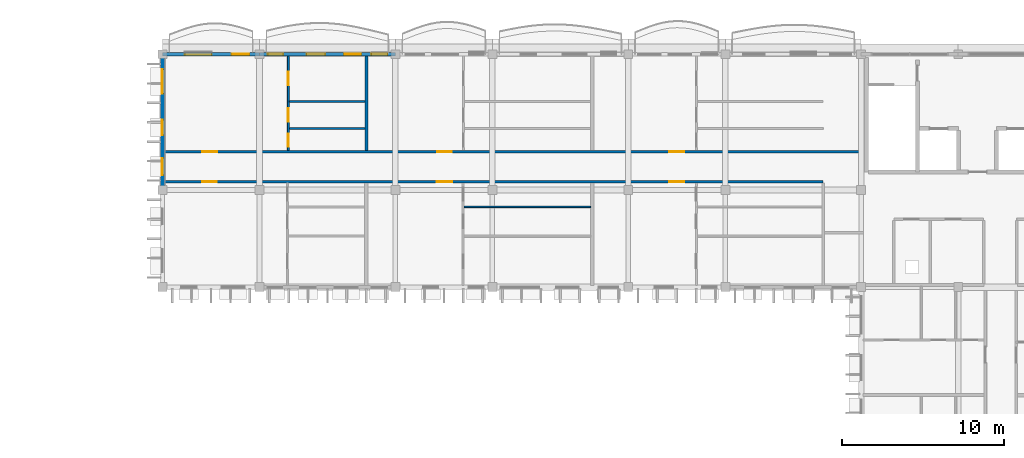
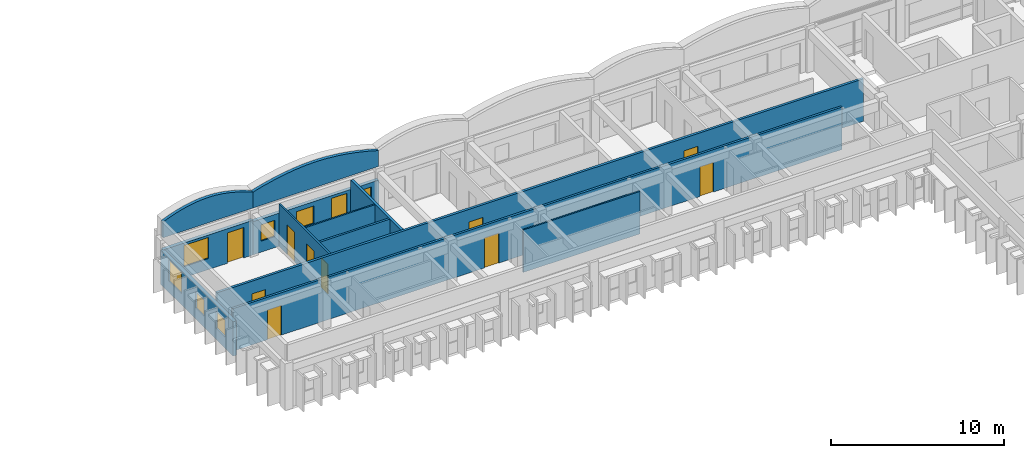
# One storey, part 12 of 28: 12 walls, 11 doors, 7 windows, 18 openings.
"""IFC4 building model written with IfcOpenShell, lengths in metres."""

from ifc_helpers import new_model, si_unit, direction, frame, frame_2d, origin, place, context, subcontext, project, spatial, polyline, rectangle, outline, extrude, material, layer, layer_set, type_object, element, fill, save


model = new_model("IFC4")

# Units and contexts
model_context = context("Model", 3, precision=1e-05, world=origin(), true_north=direction((0.0, 1.0)))
body_context = subcontext(model_context, "Body", "Model", "MODEL_VIEW")
ifc_project = project(units=[si_unit("LENGTHUNIT", "METRE"), si_unit("AREAUNIT", "SQUARE_METRE"), si_unit("VOLUMEUNIT", "CUBIC_METRE"), si_unit("PLANEANGLEUNIT", "RADIAN"), si_unit("MASSUNIT", "GRAM", prefix="KILO"), si_unit("THERMODYNAMICTEMPERATUREUNIT", "KELVIN")], contexts=[model_context])

# Site, building, storey
site_placement = place(None, origin())
site = spatial("IfcSite", under=ifc_project, at=site_placement, CompositionType="ELEMENT")
building_placement = place(site_placement, origin())
building = spatial("IfcBuilding", under=site, at=building_placement, Name="Thalorik Housing Commons", CompositionType="ELEMENT")
storey_placement = place(building_placement, frame((0.0, 0.0, 41.10009765625)))
storey = spatial("IfcBuildingStorey", under=building, at=storey_placement, Name="L12", CompositionType="ELEMENT", Elevation=41.10009765625)

# Wall, openings, doors
ifc_material_1 = material(Name="Masonry fire-rated corridor wall", Category="masonry")
ifc_layer_1 = layer(ifc_material_1, 0.14990234375, Name="Masonry fire-rated corridor wall", Category="masonry")
ifc_layer_set_1 = layer_set([ifc_layer_1], Name="Masonry fire-rated corridor wall")
wall_type_1 = type_object("IfcWallType", Name="ARC-WAL-CORR-150", PredefinedType="PARTITIONING", material=ifc_layer_set_1)
wall_1_placement = place(storey_placement, frame((109.319580078125, 115.719970703125, 0.0), z_axis=(0.0, 0.0, 1.0), x_axis=(1.0, 0.0, 0.0)))
wall_1 = element("IfcWall", 1, at=wall_1_placement, inside=storey, type_object=wall_type_1, Name="L12 Block B N Corridor Wall 1", PredefinedType="PARTITIONING", context=body_context, shape_type="SweptSolid", body=[
    extrude(rectangle(XDim=40.73046875, YDim=0.14990234375, at=frame_2d((20.365234375, 0.0))), origin(), (0.0, 0.0, 1.0), 3.0),
])
opening_1_placement = place(wall_1_placement, frame((2.326904296875, 0.0, 0.0)))
opening_1 = element("IfcOpeningElement", 2, at=opening_1_placement, cuts=wall_1, Name="Opening ID-1544", PredefinedType="OPENING", context=body_context, shape_type="SweptSolid", body=[
    extrude(rectangle(XDim=0.919921875, YDim=2.10009765625, at=frame_2d((0.4599609375, 1.050048828125))), frame((0.0, 0.0849609375, 0.0), z_axis=(0.0, -1.0, 0.0), x_axis=(1.0, 0.0, 0.0)), (0.0, 0.0, 1.0), 0.169921875),
])
opening_2_placement = place(wall_1_placement, frame((16.836669921875, 0.0, 0.0)))
opening_2 = element("IfcOpeningElement", 3, at=opening_2_placement, cuts=wall_1, Name="Opening ID-1545", PredefinedType="OPENING", context=body_context, shape_type="SweptSolid", body=[
    extrude(rectangle(XDim=0.9599609375, YDim=2.1201171875, at=frame_2d((0.47998046875, 1.06005859375))), frame((0.0, 0.0849609375, 0.0), z_axis=(0.0, -1.0, 0.0), x_axis=(1.0, 0.0, 0.0)), (0.0, 0.0, 1.0), 0.169921875),
])
opening_3_placement = place(wall_1_placement, frame((31.213623046875, 0.0, 0.0)))
opening_3 = element("IfcOpeningElement", 4, at=opening_3_placement, cuts=wall_1, Name="Opening ID-1546", PredefinedType="OPENING", context=body_context, shape_type="SweptSolid", body=[
    extrude(rectangle(XDim=0.919921875, YDim=2.10009765625, at=frame_2d((0.4599609375, 1.050048828125))), frame((0.0, 0.0849609375, 0.0), z_axis=(0.0, -1.0, 0.0), x_axis=(1.0, 0.0, 0.0)), (0.0, 0.0, 1.0), 0.169921875),
])
ifc_material_2 = material(Name="Solid core hardwood timber", Category="wood")
door_type_1 = type_object("IfcDoorType", Name="ARC-DR-FD30-920", OperationType="NOTDEFINED", PredefinedType="DOOR", material=ifc_material_2)
door_1_placement = place(opening_1_placement, origin())
door_1 = element("IfcDoor", 5, at=door_1_placement, inside=storey, type_object=door_type_1, Name="L12 Flat BN-1A Entrance Door", OperationType="SINGLE_SWING_LEFT", OverallHeight=2.10009765625, OverallWidth=0.919921875, PredefinedType="DOOR", context=body_context, shape_type="SweptSolid", body=[
    extrude(rectangle(XDim=0.919921875, YDim=2.10009765625, at=frame_2d((0.4599609375, 1.050048828125))), frame((0.0, 0.02490234375, 0.0), z_axis=(0.0, -1.0, 0.0), x_axis=(1.0, 0.0, 0.0)), (0.0, 0.0, 1.0), 0.050048828125),
])
fill(opening_1, door_1)
door_2_placement = place(opening_3_placement, origin())
door_2 = element("IfcDoor", 6, at=door_2_placement, inside=storey, type_object=door_type_1, Name="L12 Flat BN-3A Entrance Door", OperationType="SINGLE_SWING_LEFT", OverallHeight=2.10009765625, OverallWidth=0.919921875, PredefinedType="DOOR", context=body_context, shape_type="SweptSolid", body=[
    extrude(rectangle(XDim=0.919921875, YDim=2.10009765625, at=frame_2d((0.4599609375, 1.050048828125))), frame((0.0, 0.02490234375, 0.0), z_axis=(0.0, -1.0, 0.0), x_axis=(1.0, 0.0, 0.0)), (0.0, 0.0, 1.0), 0.050048828125),
])
fill(opening_3, door_2)
door_type_2 = type_object("IfcDoorType", Name="ARC-DR-FD30-960", OperationType="NOTDEFINED", PredefinedType="DOOR", material=ifc_material_2)
door_3_placement = place(opening_2_placement, origin())
door_3 = element("IfcDoor", 7, at=door_3_placement, inside=storey, type_object=door_type_2, Name="L12 Flat BN-2A Entrance Door", OperationType="SINGLE_SWING_RIGHT", OverallHeight=2.1201171875, OverallWidth=0.9599609375, PredefinedType="DOOR", context=body_context, shape_type="SweptSolid", body=[
    extrude(rectangle(XDim=0.9599609375, YDim=2.1201171875, at=frame_2d((0.47998046875, 1.06005859375))), frame((0.0, 0.02490234375, 0.0), z_axis=(0.0, -1.0, 0.0), x_axis=(1.0, 0.0, 0.0)), (0.0, 0.0, 1.0), 0.050048828125),
])
fill(opening_2, door_3)

ifc_layer_2 = layer(ifc_material_1, 0.1650390625, Name="Masonry fire-rated corridor wall", Category="masonry")
ifc_layer_set_2 = layer_set([ifc_layer_2], Name="Masonry fire-rated corridor wall")
wall_type_2 = type_object("IfcWallType", Name="ARC-WAL-CORR-165", PredefinedType="PARTITIONING", material=ifc_layer_set_2)
wall_2_placement = place(storey_placement, frame((109.319580078125, 117.580078125, 0.0), z_axis=(0.0, 0.0, 1.0), x_axis=(1.0, 0.0, 0.0)))
wall_2 = element("IfcWall", 8, at=wall_2_placement, inside=storey, type_object=wall_type_2, Name="L12 Block B N Corridor Wall 2", PredefinedType="PARTITIONING", context=body_context, shape_type="SweptSolid", body=[
    extrude(rectangle(XDim=43.220458984375, YDim=0.1650390625, at=frame_2d((21.6103515625, 0.0))), origin(), (0.0, 0.0, 1.0), 3.0),
])
opening_4_placement = place(wall_2_placement, frame((2.34375, 0.0, 0.0)))
opening_4 = element("IfcOpeningElement", 9, at=opening_4_placement, cuts=wall_2, Name="Opening ID-1547", PredefinedType="OPENING", context=body_context, shape_type="SweptSolid", body=[
    extrude(rectangle(XDim=0.919921875, YDim=2.10009765625, at=frame_2d((0.4599609375, 1.050048828125))), frame((0.0, 0.092529296875, 0.0), z_axis=(0.0, -1.0, 0.0), x_axis=(1.0, 0.0, 0.0)), (0.0, 0.0, 1.0), 0.18505859375),
])
opening_5_placement = place(wall_2_placement, frame((16.855712890625, 0.0, 0.0)))
opening_5 = element("IfcOpeningElement", 10, at=opening_5_placement, cuts=wall_2, Name="Opening ID-1548", PredefinedType="OPENING", context=body_context, shape_type="SweptSolid", body=[
    extrude(rectangle(XDim=0.919921875, YDim=2.10009765625, at=frame_2d((0.4599609375, 1.050048828125))), frame((0.0, 0.092529296875, 0.0), z_axis=(0.0, -1.0, 0.0), x_axis=(1.0, 0.0, 0.0)), (0.0, 0.0, 1.0), 0.18505859375),
])
opening_6_placement = place(wall_2_placement, frame((31.226806640625, 0.0, 0.0)))
opening_6 = element("IfcOpeningElement", 11, at=opening_6_placement, cuts=wall_2, Name="Opening ID-1549", PredefinedType="OPENING", context=body_context, shape_type="SweptSolid", body=[
    extrude(rectangle(XDim=0.919921875, YDim=2.10009765625, at=frame_2d((0.4599609375, 1.050048828125))), frame((0.0, 0.092529296875, 0.0), z_axis=(0.0, -1.0, 0.0), x_axis=(1.0, 0.0, 0.0)), (0.0, 0.0, 1.0), 0.18505859375),
])
door_4_placement = place(opening_4_placement, origin())
door_4 = element("IfcDoor", 12, at=door_4_placement, inside=storey, type_object=door_type_1, Name="L12 Flat BN-1B Entrance Door", OperationType="SINGLE_SWING_RIGHT", OverallHeight=2.10009765625, OverallWidth=0.919921875, PredefinedType="DOOR", context=body_context, shape_type="SweptSolid", body=[
    extrude(rectangle(XDim=0.919921875, YDim=2.10009765625, at=frame_2d((0.4599609375, 1.050048828125))), frame((0.0, 0.02490234375, 0.0), z_axis=(0.0, -1.0, 0.0), x_axis=(1.0, 0.0, 0.0)), (0.0, 0.0, 1.0), 0.050048828125),
])
fill(opening_4, door_4)
door_5_placement = place(opening_5_placement, origin())
door_5 = element("IfcDoor", 13, at=door_5_placement, inside=storey, type_object=door_type_1, Name="L12 Flat BN-2B Entrance Door", OperationType="SINGLE_SWING_LEFT", OverallHeight=2.10009765625, OverallWidth=0.919921875, PredefinedType="DOOR", context=body_context, shape_type="SweptSolid", body=[
    extrude(rectangle(XDim=0.919921875, YDim=2.10009765625, at=frame_2d((0.4599609375, 1.050048828125))), frame((0.0, 0.02490234375, 0.0), z_axis=(0.0, -1.0, 0.0), x_axis=(1.0, 0.0, 0.0)), (0.0, 0.0, 1.0), 0.050048828125),
])
fill(opening_5, door_5)
door_6_placement = place(opening_6_placement, origin())
door_6 = element("IfcDoor", 14, at=door_6_placement, inside=storey, type_object=door_type_1, Name="L12 Flat BN-3B Entrance Door", OperationType="SINGLE_SWING_RIGHT", OverallHeight=2.10009765625, OverallWidth=0.919921875, PredefinedType="DOOR", context=body_context, shape_type="SweptSolid", body=[
    extrude(rectangle(XDim=0.919921875, YDim=2.10009765625, at=frame_2d((0.4599609375, 1.050048828125))), frame((0.0, 0.02490234375, 0.0), z_axis=(0.0, -1.0, 0.0), x_axis=(1.0, 0.0, 0.0)), (0.0, 0.0, 1.0), 0.050048828125),
])
fill(opening_6, door_6)

# Wall, openings, door, windows
ifc_material_3 = material(Name="White precast concrete C40/50", Category="concrete")
ifc_layer_3 = layer(ifc_material_3, 0.235107421875, Name="White precast concrete C40/50", Category="concrete")
ifc_layer_set_3 = layer_set([ifc_layer_3], Name="White precast concrete C40/50")
wall_type_3 = type_object("IfcWallType", Name="ARC-WAL-EXT-235", PredefinedType="STANDARD", material=ifc_layer_set_3)
wall_3_placement = place(storey_placement, frame((123.60009765625, 123.60009765625, 0.0), z_axis=(0.0, 0.0, 1.0), x_axis=(-1.0, 0.0, 0.0)))
wall_3 = element("IfcWall", 15, at=wall_3_placement, inside=storey, type_object=wall_type_3, Name="L12 Exterior Wall WAL-EXT-L12-B-0803", PredefinedType="STANDARD", context=body_context, shape_type="SweptSolid", body=[
    extrude(rectangle(XDim=8.400146484375, YDim=0.235107421875, at=frame_2d((4.2001953125, 0.0))), origin(), (0.0, 0.0, 1.0), 2.344970703125),
])
opening_7_placement = place(wall_3_placement, frame((2.1201171875, 0.0, 0.0)))
opening_7 = element("IfcOpeningElement", 16, at=opening_7_placement, cuts=wall_3, Name="Opening ED-0276", PredefinedType="OPENING", context=body_context, shape_type="SweptSolid", body=[
    extrude(rectangle(XDim=1.050048828125, YDim=2.14990234375, at=frame_2d((0.52490234375, 1.074951171875))), frame((0.0, 0.12744140625, 0.0), z_axis=(0.0, -1.0, 0.0), x_axis=(1.0, 0.0, 0.0)), (0.0, 0.0, 1.0), 0.255126953125),
])
opening_8_placement = place(wall_3_placement, frame((0.489990234375, 0.0, 0.780029296875)))
opening_8 = element("IfcOpeningElement", 17, at=opening_8_placement, cuts=wall_3, Name="Opening W-02", PredefinedType="OPENING", context=body_context, shape_type="SweptSolid", body=[
    extrude(rectangle(XDim=1.0, YDim=1.25, at=frame_2d((0.5, 0.625))), frame((0.0, 0.12744140625, 0.0), z_axis=(0.0, -1.0, 0.0), x_axis=(1.0, 0.0, 0.0)), (0.0, 0.0, 1.0), 0.255126953125),
])
opening_9_placement = place(wall_3_placement, frame((4.343017578125, 0.0, 0.780029296875)))
opening_9 = element("IfcOpeningElement", 18, at=opening_9_placement, cuts=wall_3, Name="Opening W-45", PredefinedType="OPENING", context=body_context, shape_type="SweptSolid", body=[
    extrude(rectangle(XDim=1.14990234375, YDim=1.25, at=frame_2d((0.574951171875, 0.625))), frame((0.0, 0.12744140625, 0.0), z_axis=(0.0, -1.0, 0.0), x_axis=(1.0, 0.0, 0.0)), (0.0, 0.0, 1.0), 0.255126953125),
])
opening_10_placement = place(wall_3_placement, frame((6.93798828125, 0.0, 0.780029296875)))
opening_10 = element("IfcOpeningElement", 19, at=opening_10_placement, cuts=wall_3, Name="Opening W-43", PredefinedType="OPENING", context=body_context, shape_type="SweptSolid", body=[
    extrude(rectangle(XDim=0.949951171875, YDim=1.14990234375, at=frame_2d((0.47509765625, 0.574951171875))), frame((0.0, 0.12744140625, 0.0), z_axis=(0.0, -1.0, 0.0), x_axis=(1.0, 0.0, 0.0)), (0.0, 0.0, 1.0), 0.255126953125),
])
ifc_material_4 = material(Name="Anodised aluminium and laminated safety glass", Category="aluminium")
door_type_3 = type_object("IfcDoorType", Name="ARC-DR-BAL-1050", OperationType="NOTDEFINED", PredefinedType="DOOR", material=ifc_material_4)
door_7_placement = place(opening_7_placement, frame((1.050048828125, 0.0, 0.0), z_axis=(0.0, 0.0, 1.0), x_axis=(-1.0, 0.0, 0.0)))
door_7 = element("IfcDoor", 20, at=door_7_placement, inside=storey, type_object=door_type_3, Name="L12 Block B Balcony Glazed Door", OperationType="SINGLE_SWING_LEFT", OverallHeight=2.14990234375, OverallWidth=1.050048828125, PredefinedType="DOOR", context=body_context, shape_type="SweptSolid", body=[
    extrude(rectangle(XDim=1.050048828125, YDim=2.14990234375, at=frame_2d((0.52490234375, 1.074951171875))), frame((0.0, 0.02490234375, 0.0), z_axis=(0.0, -1.0, 0.0), x_axis=(1.0, 0.0, 0.0)), (0.0, 0.0, 1.0), 0.050048828125),
])
fill(opening_7, door_7)
ifc_material_5 = material(Name="Anodised aluminium and solar-control low-E glass", Category="aluminium")
window_type_1 = type_object("IfcWindowType", Name="ARC-WIN-02", PartitioningType="SINGLE_PANEL", PredefinedType="WINDOW", material=ifc_material_5)
window_1_placement = place(opening_8_placement, origin())
window_1 = element("IfcWindow", 21, at=window_1_placement, inside=storey, type_object=window_type_1, Name="L12 Facade Window 1476", OverallHeight=1.25, OverallWidth=1.0, PartitioningType="SINGLE_PANEL", PredefinedType="WINDOW", context=body_context, shape_type="SweptSolid", body=[
    extrude(rectangle(XDim=1.0, YDim=1.25, at=frame_2d((0.5, 0.625))), frame((0.0, 0.030029296875, 0.0), z_axis=(0.0, -1.0, 0.0), x_axis=(1.0, 0.0, 0.0)), (0.0, 0.0, 1.0), 0.06005859375),
])
fill(opening_8, window_1)
window_type_2 = type_object("IfcWindowType", Name="ARC-WIN-43", PartitioningType="SINGLE_PANEL", PredefinedType="WINDOW", material=ifc_material_5)
window_2_placement = place(opening_10_placement, origin())
window_2 = element("IfcWindow", 22, at=window_2_placement, inside=storey, type_object=window_type_2, Name="L12 Facade Window 1478", OverallHeight=1.14990234375, OverallWidth=0.949951171875, PartitioningType="SINGLE_PANEL", PredefinedType="WINDOW", context=body_context, shape_type="SweptSolid", body=[
    extrude(rectangle(XDim=0.949951171875, YDim=1.14990234375, at=frame_2d((0.47509765625, 0.574951171875))), frame((0.0, 0.030029296875, 0.0), z_axis=(0.0, -1.0, 0.0), x_axis=(1.0, 0.0, 0.0)), (0.0, 0.0, 1.0), 0.06005859375),
])
fill(opening_10, window_2)
window_type_3 = type_object("IfcWindowType", Name="ARC-WIN-45", PartitioningType="SINGLE_PANEL", PredefinedType="WINDOW", material=ifc_material_5)
window_3_placement = place(opening_9_placement, origin())
window_3 = element("IfcWindow", 23, at=window_3_placement, inside=storey, type_object=window_type_3, Name="L12 Facade Window 1477", OverallHeight=1.25, OverallWidth=1.14990234375, PartitioningType="SINGLE_PANEL", PredefinedType="WINDOW", context=body_context, shape_type="SweptSolid", body=[
    extrude(rectangle(XDim=1.14990234375, YDim=1.25, at=frame_2d((0.574951171875, 0.625))), frame((0.0, 0.030029296875, 0.0), z_axis=(0.0, -1.0, 0.0), x_axis=(1.0, 0.0, 0.0)), (0.0, 0.0, 1.0), 0.06005859375),
])
fill(opening_9, window_3)

# Wall, openings, door, window
wall_4_placement = place(storey_placement, frame((115.199951171875, 123.60009765625, 0.0), z_axis=(0.0, 0.0, 1.0), x_axis=(-1.0, 0.0, 0.0)))
wall_4 = element("IfcWall", 24, at=wall_4_placement, inside=storey, type_object=wall_type_3, Name="L12 Exterior Wall WAL-EXT-L12-B-0804", PredefinedType="STANDARD", context=body_context, shape_type="SweptSolid", body=[
    extrude(rectangle(XDim=6.0, YDim=0.235107421875, at=frame_2d((3.0, 0.0))), origin(), (0.0, 0.0, 1.0), 2.44482421875),
])
opening_11_placement = place(wall_4_placement, frame((0.6201171875, 0.0, 0.0)))
opening_11 = element("IfcOpeningElement", 25, at=opening_11_placement, cuts=wall_4, Name="Opening ED-0277", PredefinedType="OPENING", context=body_context, shape_type="SweptSolid", body=[
    extrude(rectangle(XDim=1.10009765625, YDim=2.14990234375, at=frame_2d((0.550048828125, 1.074951171875))), frame((0.0, 0.12744140625, 0.0), z_axis=(0.0, -1.0, 0.0), x_axis=(1.0, 0.0, 0.0)), (0.0, 0.0, 1.0), 0.255126953125),
])
opening_12_placement = place(wall_4_placement, frame((2.965087890625, 0.0, 0.780029296875)))
opening_12 = element("IfcOpeningElement", 26, at=opening_12_placement, cuts=wall_4, Name="Opening W-15", PredefinedType="OPENING", context=body_context, shape_type="SweptSolid", body=[
    extrude(rectangle(XDim=1.64990234375, YDim=1.5, at=frame_2d((0.824951171875, 0.75))), frame((0.0, 0.12744140625, 0.0), z_axis=(0.0, -1.0, 0.0), x_axis=(1.0, 0.0, 0.0)), (0.0, 0.0, 1.0), 0.255126953125),
])
door_type_4 = type_object("IfcDoorType", Name="ARC-DR-BAL-1100", OperationType="NOTDEFINED", PredefinedType="DOOR", material=ifc_material_4)
door_8_placement = place(opening_11_placement, frame((1.10009765625, 0.0, 0.0), z_axis=(0.0, 0.0, 1.0), x_axis=(-1.0, 0.0, 0.0)))
door_8 = element("IfcDoor", 27, at=door_8_placement, inside=storey, type_object=door_type_4, Name="L12 Block B Balcony Glazed Door", OperationType="SINGLE_SWING_RIGHT", OverallHeight=2.14990234375, OverallWidth=1.10009765625, PredefinedType="DOOR", context=body_context, shape_type="SweptSolid", body=[
    extrude(rectangle(XDim=1.10009765625, YDim=2.14990234375, at=frame_2d((0.550048828125, 1.074951171875))), frame((0.0, 0.02490234375, 0.0), z_axis=(0.0, -1.0, 0.0), x_axis=(1.0, 0.0, 0.0)), (0.0, 0.0, 1.0), 0.050048828125),
])
fill(opening_11, door_8)
window_type_4 = type_object("IfcWindowType", Name="ARC-WIN-15", PartitioningType="DOUBLE_PANEL_VERTICAL", PredefinedType="WINDOW", material=ifc_material_5)
window_4_placement = place(opening_12_placement, origin())
window_4 = element("IfcWindow", 28, at=window_4_placement, inside=storey, type_object=window_type_4, Name="L12 Facade Window 1479", OverallHeight=1.5, OverallWidth=1.64990234375, PartitioningType="DOUBLE_PANEL_VERTICAL", PredefinedType="WINDOW", context=body_context, shape_type="SweptSolid", body=[
    extrude(rectangle(XDim=1.64990234375, YDim=1.5, at=frame_2d((0.824951171875, 0.75))), frame((0.0, 0.030029296875, 0.0), z_axis=(0.0, -1.0, 0.0), x_axis=(1.0, 0.0, 0.0)), (0.0, 0.0, 1.0), 0.06005859375),
])
fill(opening_12, window_4)

# Wall, openings, windows
wall_5_placement = place(storey_placement, frame((109.199951171875, 123.60009765625, 0.0), z_axis=(0.0, 0.0, 1.0), x_axis=(0.0, -1.0, 0.0)))
wall_5 = element("IfcWall", 29, at=wall_5_placement, inside=storey, type_object=wall_type_3, Name="L12 Exterior Wall WAL-EXT-L12-B-0805", PredefinedType="STANDARD", context=body_context, shape_type="SweptSolid", body=[
    extrude(rectangle(XDim=8.400146484375, YDim=0.235107421875, at=frame_2d((4.2001953125, 0.0))), origin(), (0.0, 0.0, 1.0), 2.4248046875),
])
opening_13_placement = place(wall_5_placement, frame((0.9326171875, 0.0, 0.780029296875)))
opening_13 = element("IfcOpeningElement", 30, at=opening_13_placement, cuts=wall_5, Name="Opening W-10", PredefinedType="OPENING", context=body_context, shape_type="SweptSolid", body=[
    extrude(rectangle(XDim=1.5, YDim=1.5, at=frame_2d((0.75, 0.75))), frame((0.0, 0.12744140625, 0.0), z_axis=(0.0, -1.0, 0.0), x_axis=(1.0, 0.0, 0.0)), (0.0, 0.0, 1.0), 0.255126953125),
])
opening_14_placement = place(wall_5_placement, frame((4.052490234375, 0.0, 0.780029296875)))
opening_14 = element("IfcOpeningElement", 31, at=opening_14_placement, cuts=wall_5, Name="Opening W-43", PredefinedType="OPENING", context=body_context, shape_type="SweptSolid", body=[
    extrude(rectangle(XDim=0.949951171875, YDim=1.14990234375, at=frame_2d((0.47509765625, 0.574951171875))), frame((0.0, 0.12744140625, 0.0), z_axis=(0.0, -1.0, 0.0), x_axis=(1.0, 0.0, 0.0)), (0.0, 0.0, 1.0), 0.255126953125),
])
opening_15_placement = place(wall_5_placement, frame((6.425048828125, 0.0, 0.780029296875)))
opening_15 = element("IfcOpeningElement", 32, at=opening_15_placement, cuts=wall_5, Name="Opening W-44", PredefinedType="OPENING", context=body_context, shape_type="SweptSolid", body=[
    extrude(rectangle(XDim=1.050048828125, YDim=1.199951171875, at=frame_2d((0.52490234375, 0.60009765625))), frame((0.0, 0.12744140625, 0.0), z_axis=(0.0, -1.0, 0.0), x_axis=(1.0, 0.0, 0.0)), (0.0, 0.0, 1.0), 0.255126953125),
])
window_type_5 = type_object("IfcWindowType", Name="ARC-WIN-10", PartitioningType="SINGLE_PANEL", PredefinedType="WINDOW", material=ifc_material_5)
window_5_placement = place(opening_13_placement, origin())
window_5 = element("IfcWindow", 33, at=window_5_placement, inside=storey, type_object=window_type_5, Name="L12 Facade Window 1480", OverallHeight=1.5, OverallWidth=1.5, PartitioningType="SINGLE_PANEL", PredefinedType="WINDOW", context=body_context, shape_type="SweptSolid", body=[
    extrude(rectangle(XDim=1.5, YDim=1.5, at=frame_2d((0.75, 0.75))), frame((0.0, 0.030029296875, 0.0), z_axis=(0.0, -1.0, 0.0), x_axis=(1.0, 0.0, 0.0)), (0.0, 0.0, 1.0), 0.06005859375),
])
fill(opening_13, window_5)
window_6_placement = place(opening_14_placement, origin())
window_6 = element("IfcWindow", 34, at=window_6_placement, inside=storey, type_object=window_type_2, Name="L12 Facade Window 1481", OverallHeight=1.14990234375, OverallWidth=0.949951171875, PartitioningType="SINGLE_PANEL", PredefinedType="WINDOW", context=body_context, shape_type="SweptSolid", body=[
    extrude(rectangle(XDim=0.949951171875, YDim=1.14990234375, at=frame_2d((0.47509765625, 0.574951171875))), frame((0.0, 0.030029296875, 0.0), z_axis=(0.0, -1.0, 0.0), x_axis=(1.0, 0.0, 0.0)), (0.0, 0.0, 1.0), 0.06005859375),
])
fill(opening_14, window_6)
window_type_6 = type_object("IfcWindowType", Name="ARC-WIN-44", PartitioningType="SINGLE_PANEL", PredefinedType="WINDOW", material=ifc_material_5)
window_7_placement = place(opening_15_placement, origin())
window_7 = element("IfcWindow", 35, at=window_7_placement, inside=storey, type_object=window_type_6, Name="L12 Facade Window 1482", OverallHeight=1.199951171875, OverallWidth=1.050048828125, PartitioningType="SINGLE_PANEL", PredefinedType="WINDOW", context=body_context, shape_type="SweptSolid", body=[
    extrude(rectangle(XDim=1.050048828125, YDim=1.199951171875, at=frame_2d((0.52490234375, 0.60009765625))), frame((0.0, 0.030029296875, 0.0), z_axis=(0.0, -1.0, 0.0), x_axis=(1.0, 0.0, 0.0)), (0.0, 0.0, 1.0), 0.06005859375),
])
fill(opening_15, window_7)

# Walls
ifc_layer_4 = layer(ifc_material_3, 0.2099609375, Name="White precast concrete C40/50", Category="concrete")
ifc_layer_set_4 = layer_set([ifc_layer_4], Name="White precast concrete C40/50")
wall_type_4 = type_object("IfcWallType", Name="ARC-WAL-PAR-210", PredefinedType="PARAPET", material=ifc_layer_set_4)
wall_6_placement = place(storey_placement, frame((123.60009765625, 123.60009765625, 3.2998046875), z_axis=(0.0, 0.0, 1.0), x_axis=(-1.0, 0.0, 0.0)))
element("IfcWall", 36, at=wall_6_placement, inside=storey, type_object=wall_type_4, Name="L12 Block B Scalloped Arched Roof Parapet 22", PredefinedType="PARAPET", context=body_context, shape_type="SweptSolid", body=[
    extrude(outline(polyline([(0.0, 0.0), (8.400146484375, 0.0), (8.39990234375, 1.1201171875), (7.699951171875, 1.321533203125), (7.0, 1.484619140625), (6.300048828125, 1.617919921875), (5.60009765625, 1.717529296875), (4.89990234375, 1.779296875), (4.199951171875, 1.800048828125), (3.5, 1.779296875), (2.800048828125, 1.717529296875), (2.10009765625, 1.617919921875), (1.39990234375, 1.484619140625), (0.699951171875, 1.321533203125), (0.0, 1.1201171875), (0.0, 0.0)])), frame((0.0, 0.10498046875, 0.0), z_axis=(0.0, -1.0, 0.0), x_axis=(1.0, 0.0, 0.0)), (0.0, 0.0, 1.0), 0.2099609375),
])
wall_7_placement = place(storey_placement, frame((115.199951171875, 123.60009765625, 3.2998046875), z_axis=(0.0, 0.0, 1.0), x_axis=(-1.0, 0.0, 0.0)))
element("IfcWall", 37, at=wall_7_placement, inside=storey, type_object=wall_type_4, Name="L12 Block B Scalloped Arched Roof Parapet 23", PredefinedType="PARAPET", context=body_context, shape_type="SweptSolid", body=[
    extrude(outline(polyline([(0.0, 0.0), (6.0, 0.0), (6.0, 1.1201171875), (5.5, 1.321533203125), (5.0, 1.484619140625), (4.5, 1.617919921875), (4.0, 1.717529296875), (3.5, 1.779296875), (3.0, 1.800048828125), (2.5, 1.779296875), (2.0, 1.717529296875), (1.5, 1.617919921875), (1.0, 1.484619140625), (0.5, 1.321533203125), (0.0, 1.1201171875), (0.0, 0.0)])), frame((0.0, 0.10498046875, 0.0), z_axis=(0.0, -1.0, 0.0), x_axis=(1.0, 0.0, 0.0)), (0.0, 0.0, 1.0), 0.2099609375),
])
ifc_material_6 = material(Name="Gypsum light stud partition", Category="masonry")
ifc_layer_5 = layer(ifc_material_6, 0.10009765625, Name="Gypsum light stud partition", Category="masonry")
ifc_layer_set_5 = layer_set([ifc_layer_5], Name="Gypsum light stud partition")
wall_type_5 = type_object("IfcWallType", Name="ARC-WAL-PART-100", PredefinedType="PARTITIONING", material=ifc_layer_set_5)
wall_8_placement = place(storey_placement, frame((117.04345703125, 120.67919921875, 0.0), z_axis=(0.0, 0.0, 1.0), x_axis=(1.0, 0.0, 0.0)))
element("IfcWall", 38, at=wall_8_placement, inside=storey, type_object=wall_type_5, Name="L12 Unit 1B Bedroom Partition", PredefinedType="PARTITIONING", context=body_context, shape_type="SweptSolid", body=[
    extrude(rectangle(XDim=4.672119140625, YDim=0.10009765625, at=frame_2d((2.3359375, 0.0))), origin(), (0.0, 0.0, 1.0), 3.0),
])
wall_9_placement = place(storey_placement, frame((127.8544921875, 114.169677734375, 0.0), z_axis=(0.0, 0.0, 1.0), x_axis=(1.0, 0.0, 0.0)))
element("IfcWall", 39, at=wall_9_placement, inside=storey, type_object=wall_type_5, Name="L12 Unit 2 Wet Wall", PredefinedType="PARTITIONING", context=body_context, shape_type="SweptSolid", body=[
    extrude(rectangle(XDim=7.8134765625, YDim=0.10009765625, at=frame_2d((3.90673828125, 0.0))), origin(), (0.0, 0.0, 1.0), 3.0),
])

# Wall, openings, doors
ifc_material_7 = material(Name="Gypsum moisture-resistant partition", Category="masonry")
ifc_layer_6 = layer(ifc_material_7, 0.114990234375, Name="Gypsum moisture-resistant partition", Category="masonry")
ifc_layer_set_6 = layer_set([ifc_layer_6], Name="Gypsum moisture-resistant partition")
wall_type_6 = type_object("IfcWallType", Name="ARC-WAL-PART-115", PredefinedType="PARTITIONING", material=ifc_layer_set_6)
wall_10_placement = place(storey_placement, frame((116.98388671875, 117.66455078125, 0.0), z_axis=(0.0, 0.0, 1.0), x_axis=(0.0, 1.0, 0.0)))
wall_10 = element("IfcWall", 40, at=wall_10_placement, inside=storey, type_object=wall_type_6, Name="L12 Unit 1B Spine Partition", PredefinedType="PARTITIONING", context=body_context, shape_type="SweptSolid", body=[
    extrude(rectangle(XDim=5.81591796875, YDim=0.114990234375, at=frame_2d((2.907958984375, 0.0))), origin(), (0.0, 0.0, 1.0), 3.0),
])
opening_16_placement = place(wall_10_placement, frame((0.230712890625, 0.0, 0.0)))
opening_16 = element("IfcOpeningElement", 41, at=opening_16_placement, cuts=wall_10, Name="Opening ID-1529", PredefinedType="OPENING", context=body_context, shape_type="SweptSolid", body=[
    extrude(rectangle(XDim=0.800048828125, YDim=2.10009765625, at=frame_2d((0.39990234375, 1.050048828125))), frame((0.0, 0.0673828125, 0.0), z_axis=(0.0, -1.0, 0.0), x_axis=(1.0, 0.0, 0.0)), (0.0, 0.0, 1.0), 0.135009765625),
])
opening_17_placement = place(wall_10_placement, frame((1.75537109375, 0.0, 0.0)))
opening_17 = element("IfcOpeningElement", 42, at=opening_17_placement, cuts=wall_10, Name="Opening ID-1530", PredefinedType="OPENING", context=body_context, shape_type="SweptSolid", body=[
    extrude(rectangle(XDim=0.85009765625, YDim=2.10009765625, at=frame_2d((0.425048828125, 1.050048828125))), frame((0.0, 0.0673828125, 0.0), z_axis=(0.0, -1.0, 0.0), x_axis=(1.0, 0.0, 0.0)), (0.0, 0.0, 1.0), 0.135009765625),
])
opening_18_placement = place(wall_10_placement, frame((4.02001953125, 0.0, 0.0)))
opening_18 = element("IfcOpeningElement", 43, at=opening_18_placement, cuts=wall_10, Name="Opening ID-1531", PredefinedType="OPENING", context=body_context, shape_type="SweptSolid", body=[
    extrude(rectangle(XDim=0.85009765625, YDim=2.10009765625, at=frame_2d((0.425048828125, 1.050048828125))), frame((0.0, 0.0673828125, 0.0), z_axis=(0.0, -1.0, 0.0), x_axis=(1.0, 0.0, 0.0)), (0.0, 0.0, 1.0), 0.135009765625),
])
ifc_material_8 = material(Name="Moisture-resistant timber", Category="wood")
door_type_5 = type_object("IfcDoorType", Name="ARC-DR-INT-800", OperationType="NOTDEFINED", PredefinedType="DOOR", material=ifc_material_8)
door_9_placement = place(opening_16_placement, origin())
door_9 = element("IfcDoor", 44, at=door_9_placement, inside=storey, type_object=door_type_5, Name="L12 Flat Bathroom Door", OperationType="SINGLE_SWING_RIGHT", OverallHeight=2.10009765625, OverallWidth=0.800048828125, PredefinedType="DOOR", context=body_context, shape_type="SweptSolid", body=[
    extrude(rectangle(XDim=0.800048828125, YDim=2.10009765625, at=frame_2d((0.39990234375, 1.050048828125))), frame((0.0, 0.02490234375, 0.0), z_axis=(0.0, -1.0, 0.0), x_axis=(1.0, 0.0, 0.0)), (0.0, 0.0, 1.0), 0.050048828125),
])
fill(opening_16, door_9)
ifc_material_9 = material(Name="Engineered oak timber", Category="wood")
door_type_6 = type_object("IfcDoorType", Name="ARC-DR-INT-850", OperationType="NOTDEFINED", PredefinedType="DOOR", material=ifc_material_9)
door_10_placement = place(opening_17_placement, origin())
door_10 = element("IfcDoor", 45, at=door_10_placement, inside=storey, type_object=door_type_6, Name="L12 Eat-In Kitchen Door", OperationType="SINGLE_SWING_LEFT", OverallHeight=2.10009765625, OverallWidth=0.85009765625, PredefinedType="DOOR", context=body_context, shape_type="SweptSolid", body=[
    extrude(rectangle(XDim=0.85009765625, YDim=2.10009765625, at=frame_2d((0.425048828125, 1.050048828125))), frame((0.0, 0.02490234375, 0.0), z_axis=(0.0, -1.0, 0.0), x_axis=(1.0, 0.0, 0.0)), (0.0, 0.0, 1.0), 0.050048828125),
])
fill(opening_17, door_10)
door_11_placement = place(opening_18_placement, origin())
door_11 = element("IfcDoor", 46, at=door_11_placement, inside=storey, type_object=door_type_6, Name="L12 Master Bedroom Door", OperationType="SINGLE_SWING_RIGHT", OverallHeight=2.10009765625, OverallWidth=0.85009765625, PredefinedType="DOOR", context=body_context, shape_type="SweptSolid", body=[
    extrude(rectangle(XDim=0.85009765625, YDim=2.10009765625, at=frame_2d((0.425048828125, 1.050048828125))), frame((0.0, 0.02490234375, 0.0), z_axis=(0.0, -1.0, 0.0), x_axis=(1.0, 0.0, 0.0)), (0.0, 0.0, 1.0), 0.050048828125),
])
fill(opening_18, door_11)

# Walls
ifc_material_10 = material(Name="Ceramic masonry partition wall", Category="masonry")
ifc_layer_7 = layer(ifc_material_10, 0.139892578125, Name="Ceramic masonry partition wall", Category="masonry")
ifc_layer_set_7 = layer_set([ifc_layer_7], Name="Ceramic masonry partition wall")
wall_type_7 = type_object("IfcWallType", Name="ARC-WAL-PART-140", PredefinedType="PARTITIONING", material=ifc_layer_set_7)
wall_11_placement = place(storey_placement, frame((117.04345703125, 119.010498046875, 0.0), z_axis=(0.0, 0.0, 1.0), x_axis=(1.0, 0.0, 0.0)))
element("IfcWall", 47, at=wall_11_placement, inside=storey, type_object=wall_type_7, Name="L12 Unit 1B Wet Wall", PredefinedType="PARTITIONING", context=body_context, shape_type="SweptSolid", body=[
    extrude(rectangle(XDim=4.672119140625, YDim=0.139892578125, at=frame_2d((2.3359375, 0.0))), origin(), (0.0, 0.0, 1.0), 3.0),
])
ifc_material_11 = material(Name="Masonry acoustic blockwork wall", Category="masonry")
ifc_layer_8 = layer(ifc_material_11, 0.18505859375, Name="Masonry acoustic blockwork wall", Category="masonry")
ifc_layer_set_8 = layer_set([ifc_layer_8], Name="Masonry acoustic blockwork wall")
wall_type_8 = type_object("IfcWallType", Name="ARC-WAL-PARTY-185", PredefinedType="PARTITIONING", material=ifc_layer_set_8)
wall_12_placement = place(storey_placement, frame((121.81005859375, 117.66455078125, 0.0), z_axis=(0.0, 0.0, 1.0), x_axis=(0.0, 1.0, 0.0)))
element("IfcWall", 48, at=wall_12_placement, inside=storey, type_object=wall_type_8, Name="L12 Inter-Tenancy Wall 1B", PredefinedType="PARTITIONING", context=body_context, shape_type="SweptSolid", body=[
    extrude(rectangle(XDim=5.81591796875, YDim=0.18505859375, at=frame_2d((2.907958984375, 0.0))), origin(), (0.0, 0.0, 1.0), 3.0),
])

save(model, "model.ifc")
